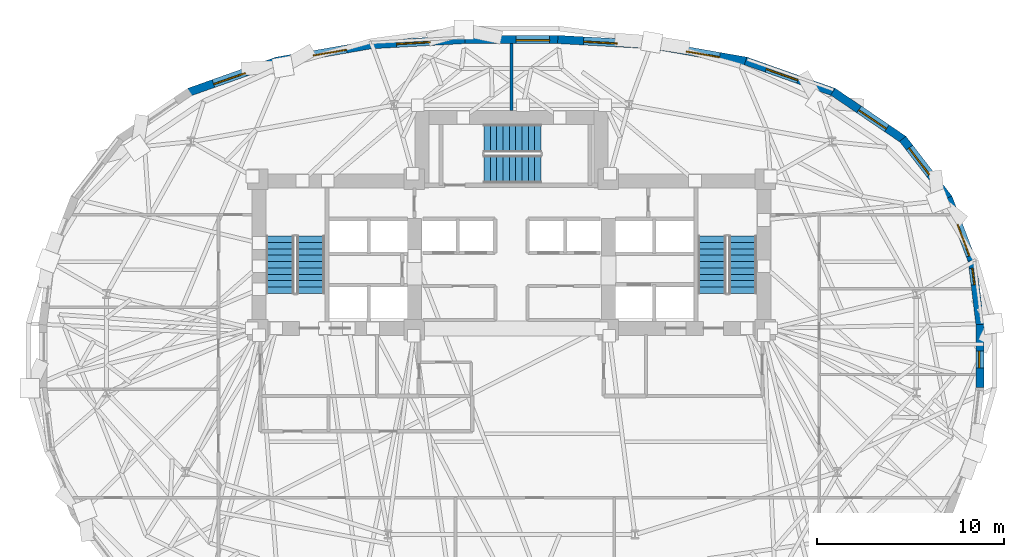
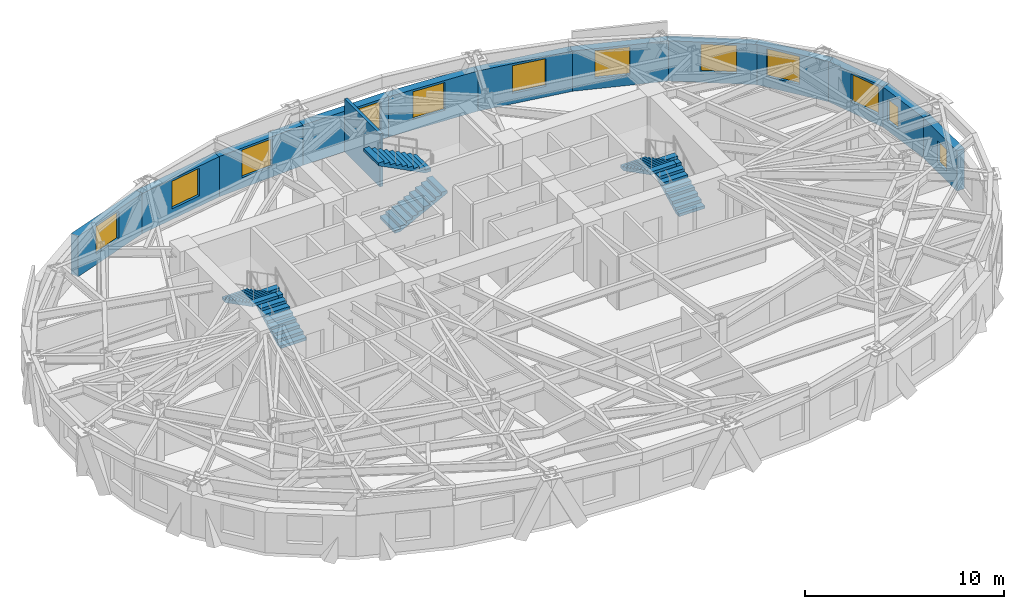
# One storey, part 9 of 13: 13 walls, 12 windows, 6 stair flights, 12 openings, 3 elements without a shape of their own.
"""IFC4 building model written with IfcOpenShell, lengths in metres."""

import ifcopenshell
import ifcopenshell.guid

model = None  # the IFC model being written
_history = None  # IfcOwnerHistory: only IFC2X3 demands one
_inside = {}  # id of a spatial element -> (the spatial element, [elements in it])
_under = {}  # id of a project, library or spatial element -> (it, [spatial elements below it])
_declared = {}  # id of a project -> (the project, [libraries it declares])
_typed = {}  # id of a type object -> (the type object, [elements of that type])
_made_of = {}  # id of a material, layer set ... -> (it, [elements and type objects made of it])


def new_model(schema):
    """Start an empty IFC model of exactly this schema.

    Asked for "IFC4X3", IfcOpenShell would pick the latest addendum, in which some entities
    have other attributes; the version numbers below select the first issue.
    IFC2X3 requires an IfcOwnerHistory on every rooted entity: one is made here for all.
    """
    global model, _history
    if schema == "IFC4X3":
        model = ifcopenshell.file(schema_version=(4, 3, 0, 0))
    else:
        model = ifcopenshell.file(schema=schema)
    _inside.clear()
    _under.clear()
    _declared.clear()
    _typed.clear()
    _made_of.clear()
    _history = None
    if model.schema == "IFC2X3":
        org = make("IfcOrganization", Name="unknown")
        user = make(
            "IfcPersonAndOrganization",
            ThePerson=make("IfcPerson", FamilyName="unknown"),
            TheOrganization=org,
        )
        app = make(
            "IfcApplication",
            ApplicationDeveloper=org,
            Version="unknown",
            ApplicationFullName="unknown",
            ApplicationIdentifier="unknown",
        )
        _history = make(
            "IfcOwnerHistory",
            OwningUser=user,
            OwningApplication=app,
            ChangeAction="ADDED",
            CreationDate=0,
        )
    return model


def make(cls, **values):
    """One entity of the class cls with the attributes given. An attribute that is None is left unset."""
    return model.create_entity(
        cls, **{name: value for name, value in values.items() if value is not None}
    )


def rooted(cls, **values):
    """An entity with a GlobalId (a new one), such as an element, a storey or a relation."""
    return make(cls, GlobalId=ifcopenshell.guid.new(), OwnerHistory=_history, **values)


def si_unit(unit_type, name, prefix=None):
    """IfcSIUnit, for example si_unit("LENGTHUNIT", "METRE", prefix="MILLI")."""
    return make("IfcSIUnit", UnitType=unit_type, Prefix=prefix, Name=name)


def assignment(units):
    """IfcUnitAssignment: the units of a project."""
    return None if units is None else make("IfcUnitAssignment", Units=units)


def point(xyz):
    """IfcCartesianPoint."""
    return None if xyz is None else make("IfcCartesianPoint", Coordinates=xyz)


def direction(xyz):
    """IfcDirection."""
    return None if xyz is None else make("IfcDirection", DirectionRatios=xyz)


def frame(location, z_axis=None, x_axis=None):
    """IfcAxis2Placement3D, a coordinate frame: its origin and axes. An axis left out is left unset."""
    return make(
        "IfcAxis2Placement3D",
        Location=point(location),
        Axis=direction(z_axis),
        RefDirection=direction(x_axis),
    )


def frame_2d(location, x_axis=None):
    """IfcAxis2Placement2D, a coordinate frame in the plane: its origin and x axis."""
    return make(
        "IfcAxis2Placement2D", Location=point(location), RefDirection=direction(x_axis)
    )


def origin():
    """The frame at (0, 0, 0) with its axes left unset."""
    return frame((0.0, 0.0, 0.0))


def place(relative_to, where):
    """IfcLocalPlacement: puts the frame where relative to a parent placement (None: the world)."""
    return make(
        "IfcLocalPlacement", PlacementRelTo=relative_to, RelativePlacement=where
    )


def context(
    kind, dimensions, precision=None, world=None, true_north=None, identifier=None
):
    """IfcGeometricRepresentationContext, for example the 3D "Model" context."""
    return make(
        "IfcGeometricRepresentationContext",
        ContextIdentifier=identifier,
        ContextType=kind,
        CoordinateSpaceDimension=dimensions,
        Precision=precision,
        WorldCoordinateSystem=world,
        TrueNorth=true_north,
    )


def subcontext(parent, identifier, kind, view, scale=None):
    """IfcGeometricRepresentationSubContext, for example "Body" below "Model"."""
    return make(
        "IfcGeometricRepresentationSubContext",
        ContextIdentifier=identifier,
        ContextType=kind,
        ParentContext=parent,
        TargetScale=scale,
        TargetView=view,
    )


def project(units=None, contexts=None):
    """IfcProject with its units and contexts."""
    return rooted(
        "IfcProject",
        Name="project",
        RepresentationContexts=contexts,
        UnitsInContext=assignment(units),
    )


def spatial(cls, under=None, at=None, **own):
    """A site, building, storey or space (cls), placed at a placement, below another one or the project."""
    s = rooted(cls, ObjectPlacement=at, **own)
    if under is not None:
        _under.setdefault(under.id(), (under, []))[1].append(s)
    return s


def polyline(points):
    """IfcPolyline through the points."""
    return make("IfcPolyline", Points=[point(p) for p in points])


def profile(cls, at=None, kind="AREA", **sizes):
    """A parametric profile (cls). Its sizes go by their IFC names, for example OverallWidth=200.0."""
    return make(cls, ProfileType=kind, Position=at, **sizes)


def rectangle(**sizes):
    """IfcRectangleProfileDef."""
    return profile("IfcRectangleProfileDef", **sizes)


def outline(outer, holes=None, kind="AREA"):
    """IfcArbitraryClosedProfileDef: a profile drawn as a closed curve; with holes, ...WithVoids."""
    if holes is None:
        return make("IfcArbitraryClosedProfileDef", ProfileType=kind, OuterCurve=outer)
    return make(
        "IfcArbitraryProfileDefWithVoids",
        ProfileType=kind,
        OuterCurve=outer,
        InnerCurves=holes,
    )


def extrude(swept, where, along, depth):
    """IfcExtrudedAreaSolid: the profile swept, set in the frame where, extruded along a direction by depth."""
    return make(
        "IfcExtrudedAreaSolid",
        SweptArea=swept,
        Position=where,
        ExtrudedDirection=direction(along),
        Depth=depth,
    )


def shape(context_of_items, identifier, shape_type, items):
    """IfcShapeRepresentation: the items that make up one representation, for example the "Body"."""
    return make(
        "IfcShapeRepresentation",
        ContextOfItems=context_of_items,
        RepresentationIdentifier=identifier,
        RepresentationType=shape_type,
        Items=items,
    )


def material(Name=None, Category=None):
    """IfcMaterial."""
    return make("IfcMaterial", Name=Name, Category=Category)


def layer(
    of_material, thickness, ventilated=None, Name=None, Category=None, Priority=None
):
    """IfcMaterialLayer: one layer of a wall or slab, of a material (None: an air gap)."""
    return make(
        "IfcMaterialLayer",
        Material=of_material,
        LayerThickness=thickness,
        IsVentilated=ventilated,
        Name=Name,
        Category=Category,
        Priority=Priority,
    )


def layer_set(layers, Name=None):
    """IfcMaterialLayerSet."""
    return make("IfcMaterialLayerSet", MaterialLayers=layers, LayerSetName=Name)


def made_of(thing, what):
    """Note that an element or type object is made of a material, layer set ...; save() writes the relation."""
    if what is not None:
        _made_of.setdefault(what.id(), (what, []))[1].append(thing)
    return thing


def type_object(cls, material=None, **own):
    """A type object (cls), such as IfcWallType, which elements share."""
    return made_of(rooted(cls, **own), material)


def element(
    cls,
    number,
    at=None,
    inside=None,
    cuts=None,
    type_object=None,
    material=None,
    context=None,
    identifier="Body",
    shape_type=None,
    held_by="IfcProductDefinitionShape",
    body=None,
    shapes=None,
    **own,
):
    """One element of the class cls, such as IfcWall. Its Tag is "e" and its number.

    at: its placement. inside: the storey or other place that contains it. cuts: it is an
    opening in that element (IfcRelVoidsElement). A single representation is given by context,
    identifier, shape_type and body (its items); several are given by shapes. held_by: the class
    of the entity that holds the representations. save() writes the other relations.
    """
    e = rooted(cls, Tag="e%d" % number, ObjectPlacement=at, **own)
    if body is not None:
        shapes = [shape(context, identifier, shape_type, body)]
    if shapes is not None:
        e.Representation = make(held_by, Representations=shapes)
    if inside is not None:
        _inside.setdefault(inside.id(), (inside, []))[1].append(e)
    if cuts is not None:
        rooted(
            "IfcRelVoidsElement", RelatingBuildingElement=cuts, RelatedOpeningElement=e
        )
    if type_object is not None:
        _typed.setdefault(type_object.id(), (type_object, []))[1].append(e)
    return made_of(e, material)


def fill(opening, filler):
    """IfcRelFillsElement: the door or window that sits in an opening."""
    return rooted(
        "IfcRelFillsElement",
        RelatingOpeningElement=opening,
        RelatedBuildingElement=filler,
    )


def aggregate(whole, parts):
    """IfcRelAggregates: a whole, such as a stair, and the parts it consists of."""
    return rooted("IfcRelAggregates", RelatingObject=whole, RelatedObjects=parts)


def save(model, path):
    """Write the relations noted so far, then the file.

    IfcRelAggregates (storeys below a building ...), IfcRelContainedInSpatialStructure (elements
    in a storey), IfcRelDefinesByType, IfcRelAssociatesMaterial and IfcRelDeclares: one each for
    every whole, place, type object, material and project.
    """
    for whole, parts in _under.values():
        aggregate(whole, parts)
    for where, things in _inside.values():
        rooted(
            "IfcRelContainedInSpatialStructure",
            RelatedElements=things,
            RelatingStructure=where,
        )
    for kind, things in _typed.values():
        rooted("IfcRelDefinesByType", RelatedObjects=things, RelatingType=kind)
    for what, things in _made_of.values():
        rooted("IfcRelAssociatesMaterial", RelatedObjects=things, RelatingMaterial=what)
    for by, libraries in _declared.values():
        rooted("IfcRelDeclares", RelatingContext=by, RelatedDefinitions=libraries)
    model.write(path)


model = new_model("IFC4")

# Units and contexts
model_context = context("Model", 3, precision=1e-05, world=origin(), true_north=direction((0.0, 1.0)))
body_context = subcontext(model_context, "Body", "Model", "MODEL_VIEW")
ifc_project = project(units=[si_unit("LENGTHUNIT", "METRE"), si_unit("AREAUNIT", "SQUARE_METRE"), si_unit("VOLUMEUNIT", "CUBIC_METRE"), si_unit("PLANEANGLEUNIT", "RADIAN"), si_unit("MASSUNIT", "GRAM", prefix="KILO")], contexts=[model_context])

# Site, building, storey
site_placement = place(None, origin())
site = spatial("IfcSite", under=ifc_project, at=site_placement, CompositionType="ELEMENT")
building_placement = place(site_placement, origin())
building = spatial("IfcBuilding", under=site, at=building_placement, Name="Keldmark Tower", CompositionType="ELEMENT")
storey_placement = place(building_placement, frame((0.0, 0.0, 131.60009765625)))
storey = spatial("IfcBuildingStorey", under=building, at=storey_placement, Name="L35", CompositionType="ELEMENT", Elevation=131.60009765625)

# Wall
ifc_material_1 = material(Name="STC-58 Insulated Tenant Demising Gypsum Partition", Category="gypsum")
ifc_layer_1 = layer(ifc_material_1, 0.175048828125)
ifc_layer_set_1 = layer_set([ifc_layer_1], Name="STC-58 Insulated Tenant Demising Gypsum Partition")
wall_type_1 = type_object("IfcWallType", Name="Demising Suite Partition 175 mm", PredefinedType="PARTITIONING", material=ifc_layer_set_1)
wall_1_placement = place(storey_placement, frame((0.0, 13.14990234375, 0.0), z_axis=(0.0, 0.0, 1.0), x_axis=(0.0, 1.0, 0.0)))
element("IfcWall", 1, at=wall_1_placement, inside=storey, type_object=wall_type_1, Name="L35 Demising Suite Partition 175 mm N-MID-DIV", PredefinedType="PARTITIONING", context=body_context, shape_type="SweptSolid", body=[
    extrude(rectangle(XDim=3.5751953125, YDim=0.175048828125, at=frame_2d((1.78759765625, 0.0))), origin(), (0.0, 0.0, 1.0), 3.260009765625),
])

# Wall, opening, window
ifc_material_2 = material(Name="Ironspot Manganese Brick and Kasota Buff Limestone Spandrel Assembly", Category="masonry")
ifc_layer_2 = layer(ifc_material_2, 0.43994140625)
ifc_layer_set_2 = layer_set([ifc_layer_2], Name="Ironspot Manganese Brick and Kasota Buff Limestone Spandrel Assembly")
wall_type_2 = type_object("IfcWallType", Name="Tower Brick Pier and Spandrel Wall 440 mm", PredefinedType="STANDARD", material=ifc_layer_set_2)
wall_2_placement = place(storey_placement, frame((24.69091796875, 5.0966796875, 0.0), z_axis=(0.0, 0.0, 1.0), x_axis=(0.121105287727, -0.992639667394, 0.0)))
wall_2 = element("IfcWall", 2, at=wall_2_placement, inside=storey, type_object=wall_type_2, Name="L35 Exterior Brick and Spandrel Wall 01", PredefinedType="STANDARD", context=body_context, shape_type="SweptSolid", body=[
    extrude(rectangle(XDim=3.457275390625, YDim=0.43994140625, at=frame_2d((1.728515625, 0.0))), origin(), (0.0, 0.0, 1.0), 2.477783203125),
])
opening_1_placement = place(wall_2_placement, frame((0.39599609375, 0.0, 0.580078125)))
opening_1 = element("IfcOpeningElement", 3, at=opening_1_placement, cuts=wall_2, Name="Opening W-09", PredefinedType="OPENING", context=body_context, shape_type="SweptSolid", body=[
    extrude(rectangle(XDim=0.89990234375, YDim=1.35009765625, at=frame_2d((0.449951171875, 0.675048828125))), frame((0.0, 0.22998046875, 0.0), z_axis=(0.0, -1.0, 0.0), x_axis=(1.0, 0.0, 0.0)), (0.0, 0.0, 1.0), 0.4599609375),
])
ifc_material_3 = material(Name="Thermally Broken Anodized Aluminum and Triple Low-E Argon Glazing", Category="aluminium")
window_type_1 = type_object("IfcWindowType", Name="Corner Pier Deep-Set Window 900x1350", PartitioningType="SINGLE_PANEL", PredefinedType="WINDOW", material=ifc_material_3)
window_1_placement = place(opening_1_placement, origin())
window_1 = element("IfcWindow", 4, at=window_1_placement, inside=storey, type_object=window_type_1, Name="L35 Deep-Set Window 01", OverallHeight=1.35009765625, OverallWidth=0.89990234375, PartitioningType="SINGLE_PANEL", PredefinedType="WINDOW", context=body_context, shape_type="SweptSolid", body=[
    extrude(rectangle(XDim=0.89990234375, YDim=1.35009765625, at=frame_2d((0.449951171875, 0.675048828125))), frame((0.0, -0.010009765625, 0.0), z_axis=(0.0, -1.0, 0.0), x_axis=(1.0, 0.0, 0.0)), (0.0, 0.0, 1.0), 0.06005859375),
])
fill(opening_1, window_1)

wall_3_placement = place(storey_placement, frame((23.4033203125, 8.478271484375, 0.0), z_axis=(0.0, 0.0, 1.0), x_axis=(0.354219131363, -0.935162449511, 0.0)))
wall_3 = element("IfcWall", 5, at=wall_3_placement, inside=storey, type_object=wall_type_2, Name="L35 Exterior Brick and Spandrel Wall 02", PredefinedType="STANDARD", context=body_context, shape_type="SweptSolid", body=[
    extrude(rectangle(XDim=3.6708984375, YDim=0.43994140625, at=frame_2d((1.83544921875, 0.0))), origin(), (0.0, 0.0, 1.0), 2.477783203125),
])
opening_2_placement = place(wall_3_placement, frame((1.52392578125, 0.0, 0.64990234375)))
opening_2 = element("IfcOpeningElement", 6, at=opening_2_placement, cuts=wall_3, Name="Opening W-02", PredefinedType="OPENING", context=body_context, shape_type="SweptSolid", body=[
    extrude(rectangle(XDim=1.800048828125, YDim=1.699951171875, at=frame_2d((0.89990234375, 0.85009765625))), frame((0.0, 0.22998046875, 0.0), z_axis=(0.0, -1.0, 0.0), x_axis=(1.0, 0.0, 0.0)), (0.0, 0.0, 1.0), 0.4599609375),
])
ifc_material_4 = material(Name="Thermally Broken Anodized Aluminum and Triple Low-E Argon Glazing", Category="aluminium")
window_type_2 = type_object("IfcWindowType", Name="Office Deep-Set Triple Window 1800x1700", PartitioningType="TRIPLE_PANEL_VERTICAL", PredefinedType="WINDOW", material=ifc_material_4)
window_2_placement = place(opening_2_placement, origin())
window_2 = element("IfcWindow", 7, at=window_2_placement, inside=storey, type_object=window_type_2, Name="L35 Deep-Set Window 02", OverallHeight=1.699951171875, OverallWidth=1.800048828125, PartitioningType="SINGLE_PANEL", PredefinedType="WINDOW", context=body_context, shape_type="SweptSolid", body=[
    extrude(rectangle(XDim=1.800048828125, YDim=1.699951171875, at=frame_2d((0.89990234375, 0.85009765625))), frame((0.0, -0.010009765625, 0.0), z_axis=(0.0, -1.0, 0.0), x_axis=(1.0, 0.0, 0.0)), (0.0, 0.0, 1.0), 0.06005859375),
])
fill(opening_2, window_2)

wall_4_placement = place(storey_placement, frame((20.966796875, 11.6298828125, 0.0), z_axis=(0.0, 0.0, 1.0), x_axis=(0.60975157382, -0.792592592839, 0.0)))
wall_4 = element("IfcWall", 8, at=wall_4_placement, inside=storey, type_object=wall_type_2, Name="L35 Exterior Brick and Spandrel Wall 03", PredefinedType="STANDARD", context=body_context, shape_type="SweptSolid", body=[
    extrude(rectangle(XDim=4.047119140625, YDim=0.43994140625, at=frame_2d((2.0234375, 0.0))), origin(), (0.0, 0.0, 1.0), 2.48193359375),
])
opening_3_placement = place(wall_4_placement, frame((0.599365234375, 0.0, 0.64990234375)))
opening_3 = element("IfcOpeningElement", 9, at=opening_3_placement, cuts=wall_4, Name="Opening W-02", PredefinedType="OPENING", context=body_context, shape_type="SweptSolid", body=[
    extrude(rectangle(XDim=1.800048828125, YDim=1.699951171875, at=frame_2d((0.89990234375, 0.85009765625))), frame((0.0, 0.22998046875, 0.0), z_axis=(0.0, -1.0, 0.0), x_axis=(1.0, 0.0, 0.0)), (0.0, 0.0, 1.0), 0.4599609375),
])
window_3_placement = place(opening_3_placement, origin())
window_3 = element("IfcWindow", 10, at=window_3_placement, inside=storey, type_object=window_type_2, Name="L35 Deep-Set Window 03", OverallHeight=1.699951171875, OverallWidth=1.800048828125, PartitioningType="SINGLE_PANEL", PredefinedType="WINDOW", context=body_context, shape_type="SweptSolid", body=[
    extrude(rectangle(XDim=1.800048828125, YDim=1.699951171875, at=frame_2d((0.89990234375, 0.85009765625))), frame((0.0, -0.010009765625, 0.0), z_axis=(0.0, -1.0, 0.0), x_axis=(1.0, 0.0, 0.0)), (0.0, 0.0, 1.0), 0.06005859375),
])
fill(opening_3, window_3)

wall_5_placement = place(storey_placement, frame((17.226806640625, 14.15234375, 0.0), z_axis=(0.0, 0.0, 1.0), x_axis=(0.827670311179, -0.561214625605, 0.0)))
wall_5 = element("IfcWall", 11, at=wall_5_placement, inside=storey, type_object=wall_type_2, Name="L35 Exterior Brick and Spandrel Wall 04", PredefinedType="STANDARD", context=body_context, shape_type="SweptSolid", body=[
    extrude(rectangle(XDim=4.580322265625, YDim=0.43994140625, at=frame_2d((2.2900390625, 0.0))), origin(), (0.0, 0.0, 1.0), 2.48193359375),
])
opening_4_placement = place(wall_5_placement, frame((1.687744140625, 0.0, 0.64990234375)))
opening_4 = element("IfcOpeningElement", 12, at=opening_4_placement, cuts=wall_5, Name="Opening W-02", PredefinedType="OPENING", context=body_context, shape_type="SweptSolid", body=[
    extrude(rectangle(XDim=1.800048828125, YDim=1.699951171875, at=frame_2d((0.89990234375, 0.85009765625))), frame((0.0, 0.22998046875, 0.0), z_axis=(0.0, -1.0, 0.0), x_axis=(1.0, 0.0, 0.0)), (0.0, 0.0, 1.0), 0.4599609375),
])
window_4_placement = place(opening_4_placement, origin())
window_4 = element("IfcWindow", 13, at=window_4_placement, inside=storey, type_object=window_type_2, Name="L35 Deep-Set Window 04", OverallHeight=1.699951171875, OverallWidth=1.800048828125, PartitioningType="SINGLE_PANEL", PredefinedType="WINDOW", context=body_context, shape_type="SweptSolid", body=[
    extrude(rectangle(XDim=1.800048828125, YDim=1.699951171875, at=frame_2d((0.89990234375, 0.85009765625))), frame((0.0, -0.010009765625, 0.0), z_axis=(0.0, -1.0, 0.0), x_axis=(1.0, 0.0, 0.0)), (0.0, 0.0, 1.0), 0.06005859375),
])
fill(opening_4, window_4)

wall_6_placement = place(storey_placement, frame((12.5458984375, 15.80029296875, 0.0), z_axis=(0.0, 0.0, 1.0), x_axis=(0.942780868171, -0.333413009061, 0.0)))
wall_6 = element("IfcWall", 14, at=wall_6_placement, inside=storey, type_object=wall_type_2, Name="L35 Exterior Brick and Spandrel Wall 05", PredefinedType="STANDARD", context=body_context, shape_type="SweptSolid", body=[
    extrude(rectangle(XDim=5.01806640625, YDim=0.43994140625, at=frame_2d((2.509033203125, 0.0))), origin(), (0.0, 0.0, 1.0), 2.477783203125),
])
opening_5_placement = place(wall_6_placement, frame((1.188720703125, 0.0, 0.64990234375)))
opening_5 = element("IfcOpeningElement", 15, at=opening_5_placement, cuts=wall_6, Name="Opening W-02", PredefinedType="OPENING", context=body_context, shape_type="SweptSolid", body=[
    extrude(rectangle(XDim=1.800048828125, YDim=1.699951171875, at=frame_2d((0.89990234375, 0.85009765625))), frame((0.0, 0.22998046875, 0.0), z_axis=(0.0, -1.0, 0.0), x_axis=(1.0, 0.0, 0.0)), (0.0, 0.0, 1.0), 0.4599609375),
])
window_5_placement = place(opening_5_placement, origin())
window_5 = element("IfcWindow", 16, at=window_5_placement, inside=storey, type_object=window_type_2, Name="L35 Deep-Set Window 05", OverallHeight=1.699951171875, OverallWidth=1.800048828125, PartitioningType="SINGLE_PANEL", PredefinedType="WINDOW", context=body_context, shape_type="SweptSolid", body=[
    extrude(rectangle(XDim=1.800048828125, YDim=1.699951171875, at=frame_2d((0.89990234375, 0.85009765625))), frame((0.0, -0.010009765625, 0.0), z_axis=(0.0, -1.0, 0.0), x_axis=(1.0, 0.0, 0.0)), (0.0, 0.0, 1.0), 0.06005859375),
])
fill(opening_5, window_5)

wall_7_placement = place(storey_placement, frame((7.518310546875, 16.672607421875, 0.0), z_axis=(0.0, 0.0, 1.0), x_axis=(0.985177916526, -0.171535631254, 0.0)))
wall_7 = element("IfcWall", 17, at=wall_7_placement, inside=storey, type_object=wall_type_2, Name="L35 Exterior Brick and Spandrel Wall 06", PredefinedType="STANDARD", context=body_context, shape_type="SweptSolid", body=[
    extrude(rectangle(XDim=5.139404296875, YDim=0.43994140625, at=frame_2d((2.56982421875, 0.0))), origin(), (0.0, 0.0, 1.0), 2.477783203125),
])
opening_6_placement = place(wall_7_placement, frame((1.893798828125, 0.0, 0.64990234375)))
opening_6 = element("IfcOpeningElement", 18, at=opening_6_placement, cuts=wall_7, Name="Opening W-02", PredefinedType="OPENING", context=body_context, shape_type="SweptSolid", body=[
    extrude(rectangle(XDim=1.800048828125, YDim=1.699951171875, at=frame_2d((0.89990234375, 0.85009765625))), frame((0.0, 0.22998046875, 0.0), z_axis=(0.0, -1.0, 0.0), x_axis=(1.0, 0.0, 0.0)), (0.0, 0.0, 1.0), 0.4599609375),
])
window_6_placement = place(opening_6_placement, origin())
window_6 = element("IfcWindow", 19, at=window_6_placement, inside=storey, type_object=window_type_2, Name="L35 Deep-Set Window 06", OverallHeight=1.699951171875, OverallWidth=1.800048828125, PartitioningType="SINGLE_PANEL", PredefinedType="WINDOW", context=body_context, shape_type="SweptSolid", body=[
    extrude(rectangle(XDim=1.800048828125, YDim=1.699951171875, at=frame_2d((0.89990234375, 0.85009765625))), frame((0.0, -0.010009765625, 0.0), z_axis=(0.0, -1.0, 0.0), x_axis=(1.0, 0.0, 0.0)), (0.0, 0.0, 1.0), 0.06005859375),
])
fill(opening_6, window_6)

wall_8_placement = place(storey_placement, frame((2.482421875, 16.95361328125, 0.0), z_axis=(0.0, 0.0, 1.0), x_axis=(0.99842742965, -0.056059501621, 0.0)))
wall_8 = element("IfcWall", 20, at=wall_8_placement, inside=storey, type_object=wall_type_2, Name="L35 Exterior Brick and Spandrel Wall 07", PredefinedType="STANDARD", context=body_context, shape_type="SweptSolid", body=[
    extrude(rectangle(XDim=5.0693359375, YDim=0.43994140625, at=frame_2d((2.53466796875, 0.0))), origin(), (0.0, 0.0, 1.0), 2.477783203125),
])
opening_7_placement = place(wall_8_placement, frame((1.387451171875, 0.0, 0.64990234375)))
opening_7 = element("IfcOpeningElement", 21, at=opening_7_placement, cuts=wall_8, Name="Opening W-02", PredefinedType="OPENING", context=body_context, shape_type="SweptSolid", body=[
    extrude(rectangle(XDim=1.800048828125, YDim=1.699951171875, at=frame_2d((0.89990234375, 0.85009765625))), frame((0.0, 0.22998046875, 0.0), z_axis=(0.0, -1.0, 0.0), x_axis=(1.0, 0.0, 0.0)), (0.0, 0.0, 1.0), 0.4599609375),
])
window_7_placement = place(opening_7_placement, origin())
window_7 = element("IfcWindow", 22, at=window_7_placement, inside=storey, type_object=window_type_2, Name="L35 Deep-Set Window 07", OverallHeight=1.699951171875, OverallWidth=1.800048828125, PartitioningType="SINGLE_PANEL", PredefinedType="WINDOW", context=body_context, shape_type="SweptSolid", body=[
    extrude(rectangle(XDim=1.800048828125, YDim=1.699951171875, at=frame_2d((0.89990234375, 0.85009765625))), frame((0.0, -0.010009765625, 0.0), z_axis=(0.0, -1.0, 0.0), x_axis=(1.0, 0.0, 0.0)), (0.0, 0.0, 1.0), 0.06005859375),
])
fill(opening_7, window_7)

wall_9_placement = place(storey_placement, frame((-2.49462890625, 16.953125, 0.0), z_axis=(0.0, 0.0, 1.0), x_axis=(1.0, 0.0, 0.0)))
wall_9 = element("IfcWall", 23, at=wall_9_placement, inside=storey, type_object=wall_type_2, Name="L35 Exterior Brick and Spandrel Wall 08", PredefinedType="STANDARD", context=body_context, shape_type="SweptSolid", body=[
    extrude(rectangle(XDim=4.9892578125, YDim=0.43994140625, at=frame_2d((2.49462890625, 0.0))), origin(), (0.0, 0.0, 1.0), 2.48193359375),
])
opening_8_placement = place(wall_9_placement, frame((2.740234375, 0.0, 0.64990234375)))
opening_8 = element("IfcOpeningElement", 24, at=opening_8_placement, cuts=wall_9, Name="Opening W-02", PredefinedType="OPENING", context=body_context, shape_type="SweptSolid", body=[
    extrude(rectangle(XDim=1.800048828125, YDim=1.699951171875, at=frame_2d((0.89990234375, 0.85009765625))), frame((0.0, 0.22998046875, 0.0), z_axis=(0.0, -1.0, 0.0), x_axis=(1.0, 0.0, 0.0)), (0.0, 0.0, 1.0), 0.4599609375),
])
window_8_placement = place(opening_8_placement, origin())
window_8 = element("IfcWindow", 25, at=window_8_placement, inside=storey, type_object=window_type_2, Name="L35 Deep-Set Window 08", OverallHeight=1.699951171875, OverallWidth=1.800048828125, PartitioningType="SINGLE_PANEL", PredefinedType="WINDOW", context=body_context, shape_type="SweptSolid", body=[
    extrude(rectangle(XDim=1.800048828125, YDim=1.699951171875, at=frame_2d((0.89990234375, 0.85009765625))), frame((0.0, -0.010009765625, 0.0), z_axis=(0.0, -1.0, 0.0), x_axis=(1.0, 0.0, 0.0)), (0.0, 0.0, 1.0), 0.06005859375),
])
fill(opening_8, window_8)

wall_10_placement = place(storey_placement, frame((-7.543701171875, 16.66943359375, 0.0), z_axis=(0.0, 0.0, 1.0), x_axis=(0.99842742965, 0.056059501621, 0.0)))
wall_10 = element("IfcWall", 26, at=wall_10_placement, inside=storey, type_object=wall_type_2, Name="L35 Exterior Brick and Spandrel Wall 09", PredefinedType="STANDARD", context=body_context, shape_type="SweptSolid", body=[
    extrude(rectangle(XDim=5.0693359375, YDim=0.43994140625, at=frame_2d((2.53466796875, 0.0))), origin(), (0.0, 0.0, 1.0), 2.477783203125),
])
opening_9_placement = place(wall_10_placement, frame((1.387451171875, 0.0, 0.64990234375)))
opening_9 = element("IfcOpeningElement", 27, at=opening_9_placement, cuts=wall_10, Name="Opening W-02", PredefinedType="OPENING", context=body_context, shape_type="SweptSolid", body=[
    extrude(rectangle(XDim=1.800048828125, YDim=1.699951171875, at=frame_2d((0.89990234375, 0.85009765625))), frame((0.0, 0.22998046875, 0.0), z_axis=(0.0, -1.0, 0.0), x_axis=(1.0, 0.0, 0.0)), (0.0, 0.0, 1.0), 0.4599609375),
])
window_9_placement = place(opening_9_placement, origin())
window_9 = element("IfcWindow", 28, at=window_9_placement, inside=storey, type_object=window_type_2, Name="L35 Deep-Set Window 09", OverallHeight=1.699951171875, OverallWidth=1.800048828125, PartitioningType="SINGLE_PANEL", PredefinedType="WINDOW", context=body_context, shape_type="SweptSolid", body=[
    extrude(rectangle(XDim=1.800048828125, YDim=1.699951171875, at=frame_2d((0.89990234375, 0.85009765625))), frame((0.0, -0.010009765625, 0.0), z_axis=(0.0, -1.0, 0.0), x_axis=(1.0, 0.0, 0.0)), (0.0, 0.0, 1.0), 0.06005859375),
])
fill(opening_9, window_9)

wall_11_placement = place(storey_placement, frame((-12.58154296875, 15.791015625, 0.0), z_axis=(0.0, 0.0, 1.0), x_axis=(0.985177916526, 0.171535631254, 0.0)))
wall_11 = element("IfcWall", 29, at=wall_11_placement, inside=storey, type_object=wall_type_2, Name="L35 Exterior Brick and Spandrel Wall 10", PredefinedType="STANDARD", context=body_context, shape_type="SweptSolid", body=[
    extrude(rectangle(XDim=5.139404296875, YDim=0.43994140625, at=frame_2d((2.56982421875, 0.0))), origin(), (0.0, 0.0, 1.0), 2.477783203125),
])
opening_10_placement = place(wall_11_placement, frame((1.993408203125, 0.0, 0.64990234375)))
opening_10 = element("IfcOpeningElement", 30, at=opening_10_placement, cuts=wall_11, Name="Opening W-02", PredefinedType="OPENING", context=body_context, shape_type="SweptSolid", body=[
    extrude(rectangle(XDim=1.800048828125, YDim=1.699951171875, at=frame_2d((0.89990234375, 0.85009765625))), frame((0.0, 0.22998046875, 0.0), z_axis=(0.0, -1.0, 0.0), x_axis=(1.0, 0.0, 0.0)), (0.0, 0.0, 1.0), 0.4599609375),
])
window_10_placement = place(opening_10_placement, origin())
window_10 = element("IfcWindow", 31, at=window_10_placement, inside=storey, type_object=window_type_2, Name="L35 Deep-Set Window 10", OverallHeight=1.699951171875, OverallWidth=1.800048828125, PartitioningType="SINGLE_PANEL", PredefinedType="WINDOW", context=body_context, shape_type="SweptSolid", body=[
    extrude(rectangle(XDim=1.800048828125, YDim=1.699951171875, at=frame_2d((0.89990234375, 0.85009765625))), frame((0.0, -0.010009765625, 0.0), z_axis=(0.0, -1.0, 0.0), x_axis=(1.0, 0.0, 0.0)), (0.0, 0.0, 1.0), 0.06005859375),
])
fill(opening_10, window_10)

wall_12_placement = place(storey_placement, frame((-17.27685546875, 14.127197265625, 0.0), z_axis=(0.0, 0.0, 1.0), x_axis=(0.942780868171, 0.333413009061, 0.0)))
wall_12 = element("IfcWall", 32, at=wall_12_placement, inside=storey, type_object=wall_type_2, Name="L35 Exterior Brick and Spandrel Wall 11", PredefinedType="STANDARD", context=body_context, shape_type="SweptSolid", body=[
    extrude(rectangle(XDim=5.01806640625, YDim=0.43994140625, at=frame_2d((2.509033203125, 0.0))), origin(), (0.0, 0.0, 1.0), 2.477783203125),
])
opening_11_placement = place(wall_12_placement, frame((1.38671875, 0.0, 0.64990234375)))
opening_11 = element("IfcOpeningElement", 33, at=opening_11_placement, cuts=wall_12, Name="Opening W-02", PredefinedType="OPENING", context=body_context, shape_type="SweptSolid", body=[
    extrude(rectangle(XDim=1.800048828125, YDim=1.699951171875, at=frame_2d((0.89990234375, 0.85009765625))), frame((0.0, 0.22998046875, 0.0), z_axis=(0.0, -1.0, 0.0), x_axis=(1.0, 0.0, 0.0)), (0.0, 0.0, 1.0), 0.4599609375),
])
window_11_placement = place(opening_11_placement, origin())
window_11 = element("IfcWindow", 34, at=window_11_placement, inside=storey, type_object=window_type_2, Name="L35 Deep-Set Window 11", OverallHeight=1.699951171875, OverallWidth=1.800048828125, PartitioningType="SINGLE_PANEL", PredefinedType="WINDOW", context=body_context, shape_type="SweptSolid", body=[
    extrude(rectangle(XDim=1.800048828125, YDim=1.699951171875, at=frame_2d((0.89990234375, 0.85009765625))), frame((0.0, -0.010009765625, 0.0), z_axis=(0.0, -1.0, 0.0), x_axis=(1.0, 0.0, 0.0)), (0.0, 0.0, 1.0), 0.06005859375),
])
fill(opening_11, window_11)

wall_13_placement = place(storey_placement, frame((25.108154296875, 1.69140625, 0.0), z_axis=(0.0, 0.0, 1.0), x_axis=(0.0, -1.0, 0.0)))
wall_13 = element("IfcWall", 35, at=wall_13_placement, inside=storey, type_object=wall_type_2, Name="L35 Exterior Brick and Spandrel Wall 32", PredefinedType="STANDARD", context=body_context, shape_type="SweptSolid", body=[
    extrude(rectangle(XDim=3.3828125, YDim=0.43994140625, at=frame_2d((1.69140625, 0.0))), origin(), (0.0, 0.0, 1.0), 2.48193359375),
])
opening_12_placement = place(wall_13_placement, frame((1.439697265625, 0.0, 0.580078125)))
opening_12 = element("IfcOpeningElement", 36, at=opening_12_placement, cuts=wall_13, Name="Opening W-09", PredefinedType="OPENING", context=body_context, shape_type="SweptSolid", body=[
    extrude(rectangle(XDim=0.89990234375, YDim=1.35009765625, at=frame_2d((0.449951171875, 0.675048828125))), frame((0.0, 0.22998046875, 0.0), z_axis=(0.0, -1.0, 0.0), x_axis=(1.0, 0.0, 0.0)), (0.0, 0.0, 1.0), 0.4599609375),
])
window_12_placement = place(opening_12_placement, origin())
window_12 = element("IfcWindow", 37, at=window_12_placement, inside=storey, type_object=window_type_1, Name="L35 Deep-Set Window 32", OverallHeight=1.35009765625, OverallWidth=0.89990234375, PartitioningType="SINGLE_PANEL", PredefinedType="WINDOW", context=body_context, shape_type="SweptSolid", body=[
    extrude(rectangle(XDim=0.89990234375, YDim=1.35009765625, at=frame_2d((0.449951171875, 0.675048828125))), frame((0.0, -0.010009765625, 0.0), z_axis=(0.0, -1.0, 0.0), x_axis=(1.0, 0.0, 0.0)), (0.0, 0.0, 1.0), 0.06005859375),
])
fill(opening_12, window_12)

# Stair, stair flights
ifc_material_5 = material(Name="Concrete C40/50", Category="concrete")
stair_type = type_object("IfcStairType", Name="Precast Concrete Core Exit Stair", PredefinedType="HALF_TURN_STAIR", material=ifc_material_5)
stair_1_placement = place(storey_placement, origin())
stair_1 = element("IfcStair", 38, at=stair_1_placement, inside=storey, type_object=stair_type, Name="L35 Exit Stair ST1", PredefinedType="HALF_TURN_STAIR")
ifc_material_6 = material(Name="Concrete C40/50", Category="concrete")
stair_flight_type = type_object("IfcStairFlightType", Name="Precast Concrete Stair Flight 1500 mm", PredefinedType="STRAIGHT", material=ifc_material_6)
stair_flight_1_placement = place(storey_placement, frame((-10.75, 3.35009765625, 0.0), z_axis=(0.0, 0.0, 1.0), x_axis=(0.0, 1.0, 0.0)))
stair_flight_1 = element("IfcStairFlight", 39, at=stair_flight_1_placement, type_object=stair_flight_type, Name="ST1 flight 1", NumberOfRisers=10, NumberOfTreads=9, PredefinedType="STRAIGHT", RiserHeight=0.175, TreadLength=0.34, context=body_context, shape_type="SweptSolid", body=[
    extrude(outline(polyline([(0.0, 0.0), (0.0, 0.175048828125), (0.340087890625, 0.175048828125), (0.340087890625, 0.35009765625), (0.679931640625, 0.35009765625), (0.679931640625, 0.52490234375), (1.02001953125, 0.52490234375), (1.02001953125, 0.699951171875), (1.360107421875, 0.699951171875), (1.360107421875, 0.875), (1.699951171875, 0.875), (1.699951171875, 1.050048828125), (2.0400390625, 1.050048828125), (2.0400390625, 1.22509765625), (2.3798828125, 1.22509765625), (2.3798828125, 1.39990234375), (2.719970703125, 1.39990234375), (2.719970703125, 1.574951171875), (3.06005859375, 1.574951171875), (3.06005859375, 1.75), (3.06005859375, 1.406494140625), (0.32763671875, 0.0), (0.0, 0.0)])), frame((0.0, 0.75, 0.0), z_axis=(0.0, -1.0, 0.0), x_axis=(1.0, 0.0, 0.0)), (0.0, 0.0, 1.0), 1.5),
])
stair_flight_2_placement = place(storey_placement, frame((-12.39990234375, 6.409912109375, 1.75), z_axis=(0.0, 0.0, 1.0), x_axis=(0.0, -1.0, 0.0)))
stair_flight_2 = element("IfcStairFlight", 40, at=stair_flight_2_placement, type_object=stair_flight_type, Name="ST1 flight 2", NumberOfRisers=10, NumberOfTreads=9, PredefinedType="STRAIGHT", RiserHeight=0.175, TreadLength=0.34, context=body_context, shape_type="SweptSolid", body=[
    extrude(outline(polyline([(0.0, 0.0), (0.0, 0.175048828125), (0.340087890625, 0.175048828125), (0.340087890625, 0.35009765625), (0.679931640625, 0.35009765625), (0.679931640625, 0.52490234375), (1.02001953125, 0.52490234375), (1.02001953125, 0.699951171875), (1.360107421875, 0.699951171875), (1.360107421875, 0.875), (1.699951171875, 0.875), (1.699951171875, 1.050048828125), (2.0400390625, 1.050048828125), (2.0400390625, 1.22509765625), (2.3798828125, 1.22509765625), (2.3798828125, 1.39990234375), (2.719970703125, 1.39990234375), (2.719970703125, 1.574951171875), (3.06005859375, 1.574951171875), (3.06005859375, 1.75), (3.06005859375, 1.406494140625), (0.32763671875, 0.0), (0.0, 0.0)])), frame((0.0, 0.75, 0.0), z_axis=(0.0, -1.0, 0.0), x_axis=(1.0, 0.0, 0.0)), (0.0, 0.0, 1.0), 1.5),
])
aggregate(stair_1, [stair_flight_1, stair_flight_2])

stair_2_placement = place(storey_placement, origin())
stair_2 = element("IfcStair", 41, at=stair_2_placement, inside=storey, type_object=stair_type, Name="L35 Exit Stair ST2", PredefinedType="HALF_TURN_STAIR")
stair_flight_3_placement = place(storey_placement, frame((12.39990234375, 3.35009765625, 0.0), z_axis=(0.0, 0.0, 1.0), x_axis=(0.0, 1.0, 0.0)))
stair_flight_3 = element("IfcStairFlight", 42, at=stair_flight_3_placement, type_object=stair_flight_type, Name="ST2 flight 1", NumberOfRisers=10, NumberOfTreads=9, PredefinedType="STRAIGHT", RiserHeight=0.175, TreadLength=0.34, context=body_context, shape_type="SweptSolid", body=[
    extrude(outline(polyline([(0.0, 0.0), (0.0, 0.175048828125), (0.340087890625, 0.175048828125), (0.340087890625, 0.35009765625), (0.679931640625, 0.35009765625), (0.679931640625, 0.52490234375), (1.02001953125, 0.52490234375), (1.02001953125, 0.699951171875), (1.360107421875, 0.699951171875), (1.360107421875, 0.875), (1.699951171875, 0.875), (1.699951171875, 1.050048828125), (2.0400390625, 1.050048828125), (2.0400390625, 1.22509765625), (2.3798828125, 1.22509765625), (2.3798828125, 1.39990234375), (2.719970703125, 1.39990234375), (2.719970703125, 1.574951171875), (3.06005859375, 1.574951171875), (3.06005859375, 1.75), (3.06005859375, 1.406494140625), (0.32763671875, 0.0), (0.0, 0.0)])), frame((0.0, 0.75, 0.0), z_axis=(0.0, -1.0, 0.0), x_axis=(1.0, 0.0, 0.0)), (0.0, 0.0, 1.0), 1.5),
])
stair_flight_4_placement = place(storey_placement, frame((10.75, 6.409912109375, 1.75), z_axis=(0.0, 0.0, 1.0), x_axis=(0.0, -1.0, 0.0)))
stair_flight_4 = element("IfcStairFlight", 43, at=stair_flight_4_placement, type_object=stair_flight_type, Name="ST2 flight 2", NumberOfRisers=10, NumberOfTreads=9, PredefinedType="STRAIGHT", RiserHeight=0.175, TreadLength=0.34, context=body_context, shape_type="SweptSolid", body=[
    extrude(outline(polyline([(0.0, 0.0), (0.0, 0.175048828125), (0.340087890625, 0.175048828125), (0.340087890625, 0.35009765625), (0.679931640625, 0.35009765625), (0.679931640625, 0.52490234375), (1.02001953125, 0.52490234375), (1.02001953125, 0.699951171875), (1.360107421875, 0.699951171875), (1.360107421875, 0.875), (1.699951171875, 0.875), (1.699951171875, 1.050048828125), (2.0400390625, 1.050048828125), (2.0400390625, 1.22509765625), (2.3798828125, 1.22509765625), (2.3798828125, 1.39990234375), (2.719970703125, 1.39990234375), (2.719970703125, 1.574951171875), (3.06005859375, 1.574951171875), (3.06005859375, 1.75), (3.06005859375, 1.406494140625), (0.32763671875, 0.0), (0.0, 0.0)])), frame((0.0, 0.75, 0.0), z_axis=(0.0, -1.0, 0.0), x_axis=(1.0, 0.0, 0.0)), (0.0, 0.0, 1.0), 1.5),
])
aggregate(stair_2, [stair_flight_3, stair_flight_4])

stair_3_placement = place(storey_placement, origin())
stair_3 = element("IfcStair", 44, at=stair_3_placement, inside=storey, type_object=stair_type, Name="L35 Exit Stair ST3", PredefinedType="HALF_TURN_STAIR")
stair_flight_5_placement = place(storey_placement, frame((-1.47509765625, 10.0, 0.0), z_axis=(0.0, 0.0, 1.0), x_axis=(1.0, 0.0, 0.0)))
stair_flight_5 = element("IfcStairFlight", 45, at=stair_flight_5_placement, type_object=stair_flight_type, Name="ST3 flight 1", NumberOfRisers=10, NumberOfTreads=9, PredefinedType="STRAIGHT", RiserHeight=0.175, TreadLength=0.34, context=body_context, shape_type="SweptSolid", body=[
    extrude(outline(polyline([(0.0, 0.0), (0.0, 0.175048828125), (0.340087890625, 0.175048828125), (0.340087890625, 0.35009765625), (0.679931640625, 0.35009765625), (0.679931640625, 0.52490234375), (1.02001953125, 0.52490234375), (1.02001953125, 0.699951171875), (1.360107421875, 0.699951171875), (1.360107421875, 0.875), (1.699951171875, 0.875), (1.699951171875, 1.050048828125), (2.0400390625, 1.050048828125), (2.0400390625, 1.22509765625), (2.3798828125, 1.22509765625), (2.3798828125, 1.39990234375), (2.719970703125, 1.39990234375), (2.719970703125, 1.574951171875), (3.06005859375, 1.574951171875), (3.06005859375, 1.75), (3.06005859375, 1.406494140625), (0.32763671875, 0.0), (0.0, 0.0)])), frame((0.0, 0.75, 0.0), z_axis=(0.0, -1.0, 0.0), x_axis=(1.0, 0.0, 0.0)), (0.0, 0.0, 1.0), 1.5),
])
stair_flight_6_placement = place(storey_placement, frame((1.5849609375, 11.64990234375, 1.75), z_axis=(0.0, 0.0, 1.0), x_axis=(-1.0, 0.0, 0.0)))
stair_flight_6 = element("IfcStairFlight", 46, at=stair_flight_6_placement, type_object=stair_flight_type, Name="ST3 flight 2", NumberOfRisers=10, NumberOfTreads=9, PredefinedType="STRAIGHT", RiserHeight=0.175, TreadLength=0.34, context=body_context, shape_type="SweptSolid", body=[
    extrude(outline(polyline([(0.0, 0.0), (0.0, 0.175048828125), (0.340087890625, 0.175048828125), (0.340087890625, 0.35009765625), (0.679931640625, 0.35009765625), (0.679931640625, 0.52490234375), (1.02001953125, 0.52490234375), (1.02001953125, 0.699951171875), (1.360107421875, 0.699951171875), (1.360107421875, 0.875), (1.699951171875, 0.875), (1.699951171875, 1.050048828125), (2.0400390625, 1.050048828125), (2.0400390625, 1.22509765625), (2.3798828125, 1.22509765625), (2.3798828125, 1.39990234375), (2.719970703125, 1.39990234375), (2.719970703125, 1.574951171875), (3.06005859375, 1.574951171875), (3.06005859375, 1.75), (3.06005859375, 1.406494140625), (0.32763671875, 0.0), (0.0, 0.0)])), frame((0.0, 0.75, 0.0), z_axis=(0.0, -1.0, 0.0), x_axis=(1.0, 0.0, 0.0)), (0.0, 0.0, 1.0), 1.5),
])
aggregate(stair_3, [stair_flight_5, stair_flight_6])

save(model, "model.ifc")
